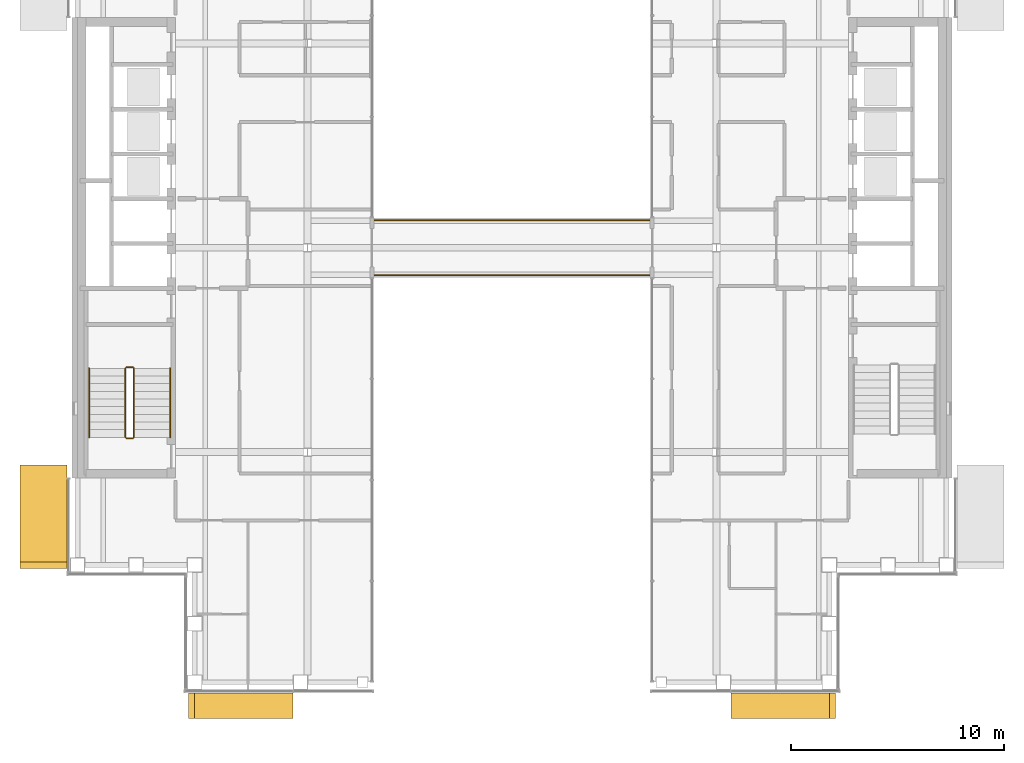
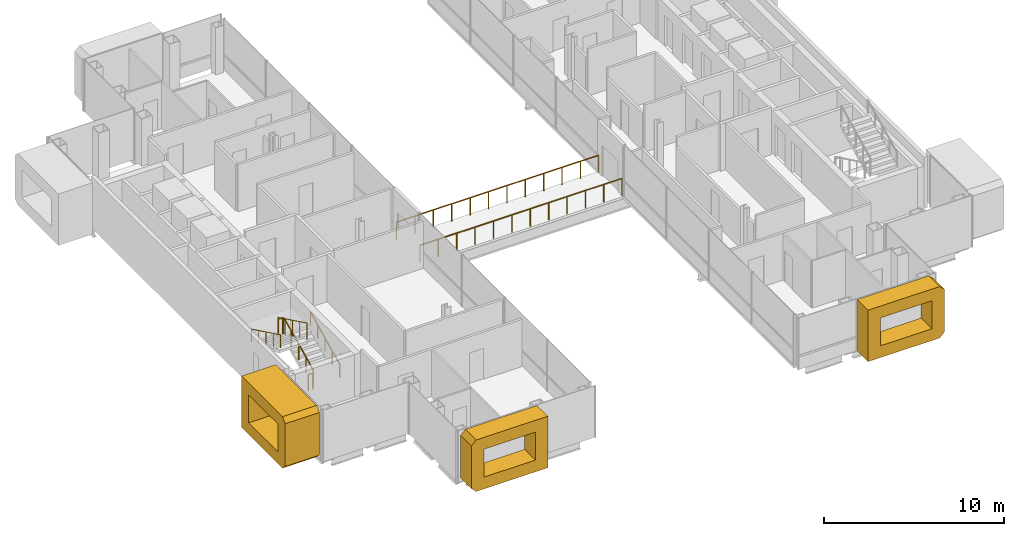
# One storey, part 14 of 17: 8 railings, 3 coverings.
"""IFC4 building model written with IfcOpenShell, lengths in metres."""

from ifc_helpers import new_model, si_unit, direction, frame, origin, origin_2d, place, context, subcontext, project, spatial, polyline, circle, outline, extrude, material, type_object, element, save


model = new_model("IFC4")

# Units and contexts
model_context = context("Model", 3, precision=1e-05, world=origin(), true_north=direction((0.0, 1.0)))
body_context = subcontext(model_context, "Body", "Model", "MODEL_VIEW")
ifc_project = project(units=[si_unit("LENGTHUNIT", "METRE"), si_unit("AREAUNIT", "SQUARE_METRE"), si_unit("VOLUMEUNIT", "CUBIC_METRE"), si_unit("PLANEANGLEUNIT", "RADIAN"), si_unit("MASSUNIT", "GRAM", prefix="KILO")], contexts=[model_context])

# Site, building, storey
site_placement = place(None, origin())
site = spatial("IfcSite", under=ifc_project, at=site_placement, CompositionType="ELEMENT")
building_placement = place(site_placement, origin())
building = spatial("IfcBuilding", under=site, at=building_placement, Name="Cobrizo Arcos Hotel Tower", CompositionType="ELEMENT")
storey_placement = place(building_placement, frame((0.0, 0.0, 233.0)))
storey = spatial("IfcBuildingStorey", under=building, at=storey_placement, Name="L61", CompositionType="ELEMENT", Elevation=233.0)

# Coverings
ifc_material_1 = material(Name="Aluminium 6063-T6 anodised bronze", Category="aluminium")
covering_type_1 = type_object("IfcCoveringType", Name="FIN-F 1200", PredefinedType="CLADDING", material=ifc_material_1)
covering_1_placement = place(storey_placement, frame((-15.199951171875, -20.89990234375, 0.0), z_axis=(0.0, -1.0, 0.0), x_axis=(1.0, 0.0, 0.0)))
element("IfcCovering", 1, at=covering_1_placement, inside=storey, type_object=covering_type_1, Name="Fin frame 343", PredefinedType="CLADDING", context=body_context, shape_type="SweptSolid", body=[
    extrude(outline(polyline([(0.0, 0.300048828125), (0.300048828125, 0.0), (4.908203125, 0.0), (4.908203125, 3.5), (0.300048828125, 3.5), (0.0, 3.199951171875), (0.0, 0.300048828125)]), holes=[polyline([(4.1083984375, 0.800048828125), (0.800048828125, 0.800048828125), (0.800048828125, 2.699951171875), (4.1083984375, 2.699951171875), (4.1083984375, 0.800048828125)])]), origin(), (0.0, 0.0, 1.0), 1.2001953125),
])
covering_2_placement = place(storey_placement, frame((10.291748046875, -20.89990234375, 0.0), z_axis=(0.0, -1.0, 0.0), x_axis=(1.0, 0.0, 0.0)))
element("IfcCovering", 2, at=covering_2_placement, inside=storey, type_object=covering_type_1, Name="Fin frame 344", PredefinedType="CLADDING", context=body_context, shape_type="SweptSolid", body=[
    extrude(outline(polyline([(0.0, 3.5), (0.0, 0.0), (4.6083984375, 0.0), (4.908203125, 0.300048828125), (4.908203125, 3.199951171875), (4.6083984375, 3.5), (0.0, 3.5)]), holes=[polyline([(4.1083984375, 0.800048828125), (0.800048828125, 0.800048828125), (0.800048828125, 2.699951171875), (4.1083984375, 2.699951171875), (4.1083984375, 0.800048828125)])]), origin(), (0.0, 0.0, 1.0), 1.2001953125),
])
covering_type_2 = type_object("IfcCoveringType", Name="FIN-F 2200", PredefinedType="CLADDING", material=ifc_material_1)
covering_3_placement = place(storey_placement, frame((-20.89990234375, -10.191650390625, 0.0), z_axis=(-1.0, 0.0, 0.0), x_axis=(0.0, -1.0, 0.0)))
element("IfcCovering", 3, at=covering_3_placement, inside=storey, type_object=covering_type_2, Name="Fin frame 362", PredefinedType="CLADDING", context=body_context, shape_type="SweptSolid", body=[
    extrude(outline(polyline([(0.0, 3.5), (0.0, 0.0), (4.558349609375, 0.0), (4.8583984375, 0.300048828125), (4.8583984375, 3.199951171875), (4.558349609375, 3.5), (0.0, 3.5)]), holes=[polyline([(4.058349609375, 0.800048828125), (0.800048828125, 0.800048828125), (0.800048828125, 2.699951171875), (4.058349609375, 2.699951171875), (4.058349609375, 0.800048828125)])]), origin(), (0.0, 0.0, 1.0), 2.2001953125),
])

# Railings
ifc_material_2 = material(Name="Stainless steel railing", Category="steel")
railing_type_1 = type_object("IfcRailingType", Name="Sky bridge guard 1200", PredefinedType="GUARDRAIL", material=ifc_material_2)
for number, where, name in (
    (4, (-6.5, 1.300048828125, 0.0), "Sky bridge north guard"),
    (5, (-6.5, -1.300048828125, 0.0), "Sky bridge south guard"),
):
    element("IfcRailing", number, at=place(storey_placement, frame(where)), inside=storey, type_object=railing_type_1, Name=name, PredefinedType="GUARDRAIL", context=body_context, shape_type="SweptSolid", body=[
        extrude(circle(Radius=0.02392578125, at=origin_2d()), frame((0.0, 0.0, 1.17578125), z_axis=(1.0, 0.0, 0.0), x_axis=(0.0, 1.0, 0.0)), (0.0, 0.0, 1.0), 13.0),
        extrude(circle(Radius=0.02099609375, at=origin_2d()), origin(), (0.0, 0.0, 1.0), 1.15185546875),
        extrude(circle(Radius=0.02099609375, at=origin_2d()), frame((1.181884765625, 0.0, 0.0)), (0.0, 0.0, 1.0), 1.15185546875),
        extrude(circle(Radius=0.02099609375, at=origin_2d()), frame((2.363525390625, 0.0, 0.0)), (0.0, 0.0, 1.0), 1.15185546875),
        extrude(circle(Radius=0.02099609375, at=origin_2d()), frame((3.54541015625, 0.0, 0.0)), (0.0, 0.0, 1.0), 1.15185546875),
        extrude(circle(Radius=0.02099609375, at=origin_2d()), frame((4.727294921875, 0.0, 0.0)), (0.0, 0.0, 1.0), 1.15185546875),
        extrude(circle(Radius=0.02099609375, at=origin_2d()), frame((5.9091796875, 0.0, 0.0)), (0.0, 0.0, 1.0), 1.15185546875),
        extrude(circle(Radius=0.02099609375, at=origin_2d()), frame((7.0908203125, 0.0, 0.0)), (0.0, 0.0, 1.0), 1.15185546875),
        extrude(circle(Radius=0.02099609375, at=origin_2d()), frame((8.272705078125, 0.0, 0.0)), (0.0, 0.0, 1.0), 1.15185546875),
        extrude(circle(Radius=0.02099609375, at=origin_2d()), frame((9.45458984375, 0.0, 0.0)), (0.0, 0.0, 1.0), 1.15185546875),
        extrude(circle(Radius=0.02099609375, at=origin_2d()), frame((10.636474609375, 0.0, 0.0)), (0.0, 0.0, 1.0), 1.15185546875),
        extrude(circle(Radius=0.02099609375, at=origin_2d()), frame((11.818115234375, 0.0, 0.0)), (0.0, 0.0, 1.0), 1.15185546875),
        extrude(circle(Radius=0.02099609375, at=origin_2d()), frame((13.0, 0.0, 0.0)), (0.0, 0.0, 1.0), 1.15185546875),
    ])
railing_type_2 = type_object("IfcRailingType", Name="Stair guard 1100", PredefinedType="GUARDRAIL", material=ifc_material_2)
railing_1_placement = place(storey_placement, frame((-17.75, -8.89990234375, 0.175048828125)))
element("IfcRailing", 6, at=railing_1_placement, inside=storey, type_object=railing_type_2, Name="L61 ST-W stair guard 1", PredefinedType="GUARDRAIL", context=body_context, shape_type="SweptSolid", body=[
    extrude(circle(Radius=0.02392578125, at=origin_2d()), frame((0.0, 0.0, 1.076171875), z_axis=(0.0, 0.899372665325, 0.437182809435), x_axis=(-1.0, 0.0, 0.0)), (0.0, 0.0, 1.0), 3.6025390625),
    extrude(circle(Radius=0.02099609375, at=origin_2d()), origin(), (0.0, 0.0, 1.0), 1.052001953125),
    extrude(circle(Radius=0.02099609375, at=origin_2d()), frame((0.0, 0.81005859375, 0.393798828125)), (0.0, 0.0, 1.0), 1.052001953125),
    extrude(circle(Radius=0.02099609375, at=origin_2d()), frame((0.0, 1.6201171875, 0.78759765625)), (0.0, 0.0, 1.0), 1.052001953125),
    extrude(circle(Radius=0.02099609375, at=origin_2d()), frame((0.0, 2.429931640625, 1.18115234375)), (0.0, 0.0, 1.0), 1.052001953125),
    extrude(circle(Radius=0.02099609375, at=origin_2d()), frame((0.0, 3.239990234375, 1.574951171875)), (0.0, 0.0, 1.0), 1.052001953125),
])
railing_2_placement = place(storey_placement, frame((-17.800048828125, -5.610107421875, 1.75)))
element("IfcRailing", 7, at=railing_2_placement, inside=storey, type_object=railing_type_2, Name="L61 ST-W stair guard 2", PredefinedType="GUARDRAIL", context=body_context, shape_type="SweptSolid", body=[
    extrude(circle(Radius=0.02392578125, at=origin_2d()), frame((0.0, 0.0, 1.076171875), z_axis=(-1.0, 0.0, 0.0), x_axis=(0.0, -1.0, 0.0)), (0.0, 0.0, 1.0), 0.300048828125),
    extrude(circle(Radius=0.02099609375, at=origin_2d()), origin(), (0.0, 0.0, 1.0), 1.052001953125),
    extrude(circle(Radius=0.02099609375, at=origin_2d()), frame((-0.300048828125, 0.0, 0.0)), (0.0, 0.0, 1.0), 1.052001953125),
])
railing_3_placement = place(storey_placement, frame((-18.14990234375, -5.659912109375, 1.925048828125)))
element("IfcRailing", 8, at=railing_3_placement, inside=storey, type_object=railing_type_2, Name="L61 ST-W stair guard 3", PredefinedType="GUARDRAIL", context=body_context, shape_type="SweptSolid", body=[
    extrude(circle(Radius=0.02392578125, at=origin_2d()), frame((0.0, 0.0, 1.076171875), z_axis=(0.0, -0.899372665325, 0.437182809435), x_axis=(1.0, 0.0, 0.0)), (0.0, 0.0, 1.0), 3.6025390625),
    extrude(circle(Radius=0.02099609375, at=origin_2d()), origin(), (0.0, 0.0, 1.0), 1.052001953125),
    extrude(circle(Radius=0.02099609375, at=origin_2d()), frame((0.0, -0.81005859375, 0.393798828125)), (0.0, 0.0, 1.0), 1.052001953125),
    extrude(circle(Radius=0.02099609375, at=origin_2d()), frame((0.0, -1.6201171875, 0.78759765625)), (0.0, 0.0, 1.0), 1.052001953125),
    extrude(circle(Radius=0.02099609375, at=origin_2d()), frame((0.0, -2.429931640625, 1.18115234375)), (0.0, 0.0, 1.0), 1.052001953125),
    extrude(circle(Radius=0.02099609375, at=origin_2d()), frame((0.0, -3.239990234375, 1.574951171875)), (0.0, 0.0, 1.0), 1.052001953125),
])
railing_4_placement = place(storey_placement, frame((-17.800048828125, -8.949951171875, 0.0)))
element("IfcRailing", 9, at=railing_4_placement, inside=storey, type_object=railing_type_2, Name="L61 ST-W stair guard 4", PredefinedType="GUARDRAIL", context=body_context, shape_type="SweptSolid", body=[
    extrude(circle(Radius=0.02392578125, at=origin_2d()), frame((0.0, 0.0, 1.076171875), z_axis=(-1.0, 0.0, 0.0), x_axis=(0.0, -1.0, 0.0)), (0.0, 0.0, 1.0), 0.300048828125),
    extrude(circle(Radius=0.02099609375, at=origin_2d()), origin(), (0.0, 0.0, 1.0), 1.052001953125),
    extrude(circle(Radius=0.02099609375, at=origin_2d()), frame((-0.300048828125, 0.0, 0.0)), (0.0, 0.0, 1.0), 1.052001953125),
])
railing_type_3 = type_object("IfcRailingType", Name="Stair handrail", PredefinedType="HANDRAIL", material=ifc_material_2)
railing_5_placement = place(storey_placement, frame((-16.050048828125, -8.89990234375, 0.175048828125)))
element("IfcRailing", 10, at=railing_5_placement, inside=storey, type_object=railing_type_3, Name="L61 ST-W stair handrail 1", PredefinedType="HANDRAIL", context=body_context, shape_type="SweptSolid", body=[
    extrude(circle(Radius=0.02392578125, at=origin_2d()), frame((0.0, 0.0, 0.8759765625), z_axis=(0.0, 0.899372665325, 0.437182809435), x_axis=(-1.0, 0.0, 0.0)), (0.0, 0.0, 1.0), 3.6025390625),
    extrude(circle(Radius=0.02099609375, at=origin_2d()), origin(), (0.0, 0.0, 1.0), 0.851806640625),
    extrude(circle(Radius=0.02099609375, at=origin_2d()), frame((0.0, 0.81005859375, 0.393798828125)), (0.0, 0.0, 1.0), 0.851806640625),
    extrude(circle(Radius=0.02099609375, at=origin_2d()), frame((0.0, 1.6201171875, 0.78759765625)), (0.0, 0.0, 1.0), 0.851806640625),
    extrude(circle(Radius=0.02099609375, at=origin_2d()), frame((0.0, 2.429931640625, 1.18115234375)), (0.0, 0.0, 1.0), 0.851806640625),
    extrude(circle(Radius=0.02099609375, at=origin_2d()), frame((0.0, 3.239990234375, 1.574951171875)), (0.0, 0.0, 1.0), 0.851806640625),
])
railing_6_placement = place(storey_placement, frame((-19.85009765625, -5.659912109375, 1.925048828125)))
element("IfcRailing", 11, at=railing_6_placement, inside=storey, type_object=railing_type_3, Name="L61 ST-W stair handrail 2", PredefinedType="HANDRAIL", context=body_context, shape_type="SweptSolid", body=[
    extrude(circle(Radius=0.02392578125, at=origin_2d()), frame((0.0, 0.0, 0.8759765625), z_axis=(0.0, -0.899372665325, 0.437182809435), x_axis=(1.0, 0.0, 0.0)), (0.0, 0.0, 1.0), 3.6025390625),
    extrude(circle(Radius=0.02099609375, at=origin_2d()), origin(), (0.0, 0.0, 1.0), 0.851806640625),
    extrude(circle(Radius=0.02099609375, at=origin_2d()), frame((0.0, -0.81005859375, 0.393798828125)), (0.0, 0.0, 1.0), 0.851806640625),
    extrude(circle(Radius=0.02099609375, at=origin_2d()), frame((0.0, -1.6201171875, 0.78759765625)), (0.0, 0.0, 1.0), 0.851806640625),
    extrude(circle(Radius=0.02099609375, at=origin_2d()), frame((0.0, -2.429931640625, 1.18115234375)), (0.0, 0.0, 1.0), 0.851806640625),
    extrude(circle(Radius=0.02099609375, at=origin_2d()), frame((0.0, -3.239990234375, 1.574951171875)), (0.0, 0.0, 1.0), 0.851806640625),
])

save(model, "model.ifc")
